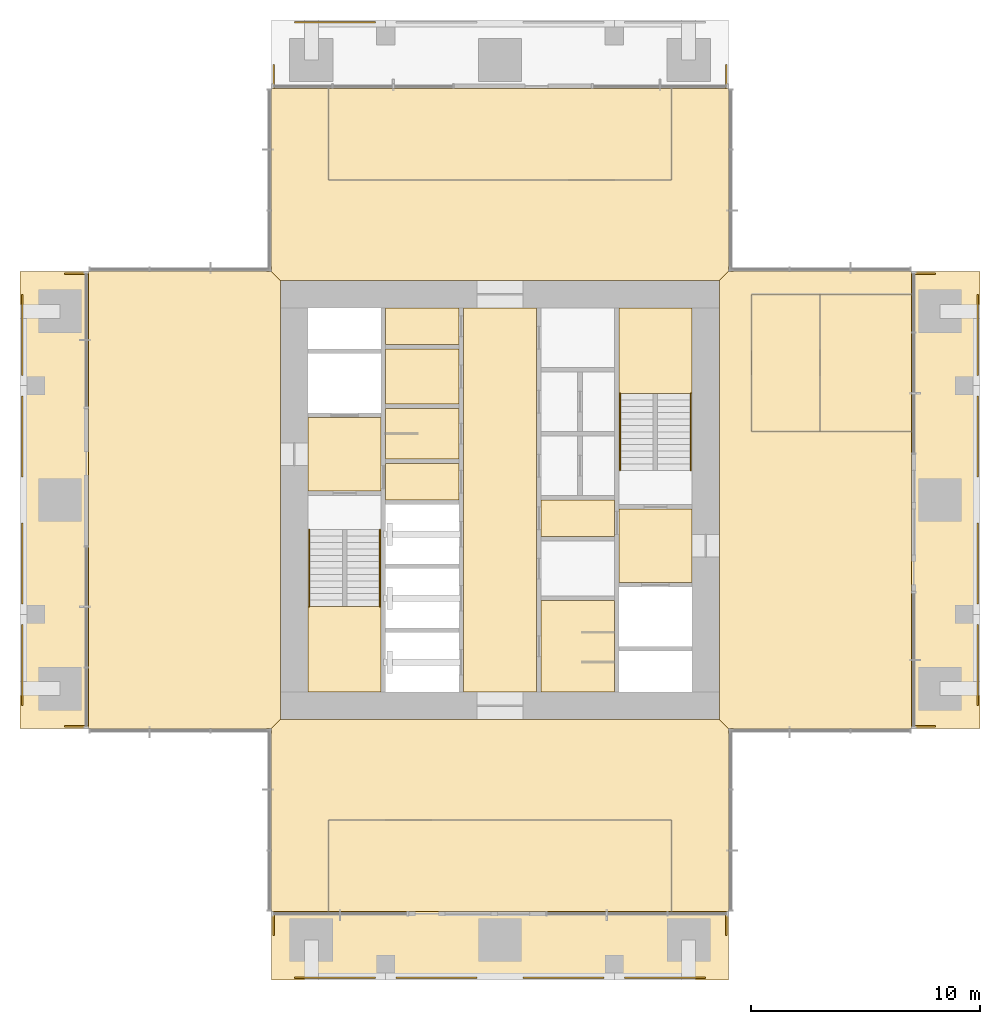
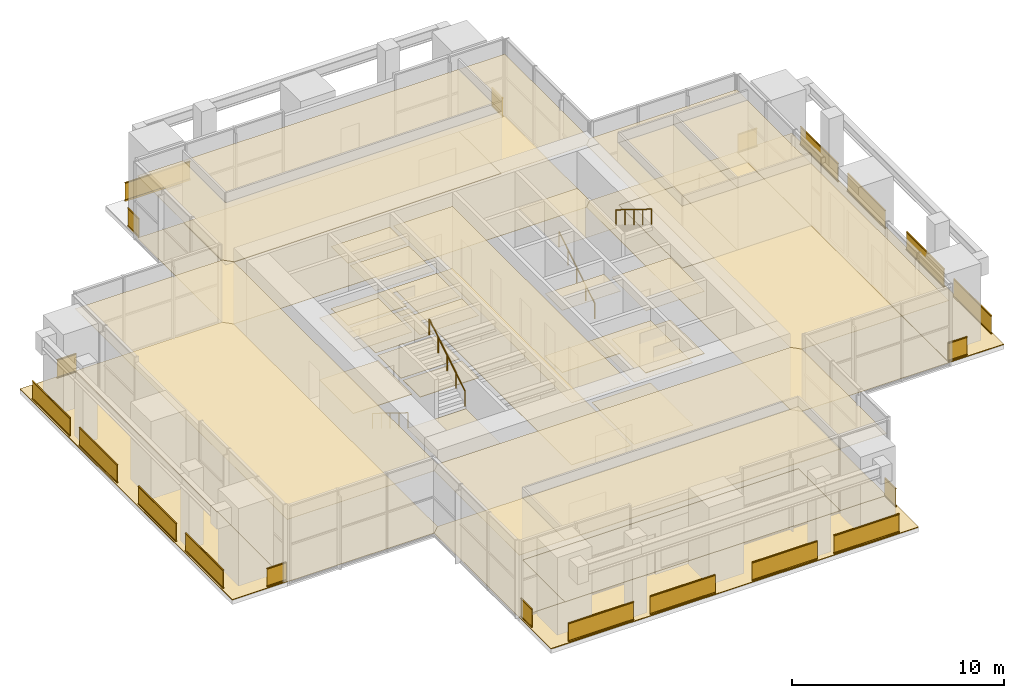
# One storey, part 10 of 11: 39 coverings, 25 railings.
"""IFC4 building model written with IfcOpenShell, lengths in metres."""

from ifc_helpers import new_model, si_unit, direction, frame, origin, origin_2d, place, context, subcontext, project, spatial, polyline, rectangle, circle, outline, extrude, material, layer, layer_set, type_object, element, save


model = new_model("IFC4")

# Units and contexts
model_context = context("Model", 3, precision=1e-05, world=origin(), true_north=direction((0.0, 1.0)))
body_context = subcontext(model_context, "Body", "Model", "MODEL_VIEW")
ifc_project = project(units=[si_unit("LENGTHUNIT", "METRE"), si_unit("AREAUNIT", "SQUARE_METRE"), si_unit("VOLUMEUNIT", "CUBIC_METRE"), si_unit("PLANEANGLEUNIT", "RADIAN"), si_unit("MASSUNIT", "GRAM", prefix="KILO")], contexts=[model_context])

# Site, building, storey
site_placement = place(None, origin())
site = spatial("IfcSite", under=ifc_project, at=site_placement, CompositionType="ELEMENT")
building_placement = place(site_placement, origin())
building = spatial("IfcBuilding", under=site, at=building_placement, Name="Svetlomir Tower", CompositionType="ELEMENT")
storey_placement = place(building_placement, frame((0.0, 0.0, 273.39990234375)))
storey = spatial("IfcBuildingStorey", under=building, at=storey_placement, Name="L65", CompositionType="ELEMENT", Elevation=273.39990234375)

# Covering
ifc_material_1 = material(Name="Perforated timber acoustic panel", Category="wood")
ifc_layer_1 = layer(ifc_material_1, 0.0400390625)
ifc_layer_set_1 = layer_set([ifc_layer_1], Name="Perforated timber acoustic panel")
covering_type_1 = type_object("IfcCoveringType", Name="ACOUSTIC CEILING 40", PredefinedType="CEILING", material=ifc_layer_set_1)
covering_1_placement = place(storey_placement, frame((0.0, 0.0, 3.56005859375)))
element("IfcCovering", 1, at=covering_1_placement, inside=storey, type_object=covering_type_1, Name="Ceiling L65-18", PredefinedType="CEILING", context=body_context, shape_type="SweptSolid", body=[
    extrude(outline(polyline([(13.5, 3.0), (28.5, 3.0), (28.5, 7.0), (13.5, 7.0), (13.5, 3.0)])), origin(), (0.0, 0.0, 1.0), 0.0400390625),
])

# Railings
ifc_material_2 = material(Name="Bronze anodised aluminium and laminated glass", Category="aluminium")
railing_type_1 = type_object("IfcRailingType", Name="BALCONY GUARD GR1 1100", PredefinedType="GUARDRAIL", material=ifc_material_2)
for number, where, name in (
    (2, (12.0, 0.10009765625, 0.0), "Loggia guard S L65 bay 1"),
    (3, (16.449951171875, 0.10009765625, 0.0), "Loggia guard S L65 bay 2"),
    (4, (22.0, 0.10009765625, 0.0), "Loggia guard S L65 bay 3"),
    (5, (26.449951171875, 0.10009765625, 0.0), "Loggia guard S L65 bay 4"),
):
    element("IfcRailing", number, at=place(storey_placement, frame(where)), inside=storey, type_object=railing_type_1, Name=name, PredefinedType="GUARDRAIL", context=body_context, shape_type="SweptSolid", body=[
        extrude(rectangle(XDim=0.06005859375, YDim=0.10009765625, at=origin_2d()), frame((0.0, 0.0, 0.050048828125), z_axis=(1.0, 0.0, 0.0), x_axis=(0.0, 1.0, 0.0)), (0.0, 0.0, 1.0), 3.550048828125),
        extrude(rectangle(XDim=0.021484375, YDim=0.960205078125, at=origin_2d()), frame((0.0, 0.0, 0.580078125), z_axis=(1.0, 0.0, 0.0), x_axis=(0.0, 1.0, 0.0)), (0.0, 0.0, 1.0), 3.550048828125),
        extrude(rectangle(XDim=0.06005859375, YDim=0.0400390625, at=origin_2d()), frame((0.0, 0.0, 1.080078125), z_axis=(1.0, 0.0, 0.0), x_axis=(0.0, 1.0, 0.0)), (0.0, 0.0, 1.0), 3.550048828125),
    ])
for number, where, name in (
    (6, (11.10009765625, 1.949951171875, 0.0), "Loggia guard S L65 end 1"),
    (7, (30.89990234375, 1.949951171875, 0.0), "Loggia guard S L65 end 2"),
):
    element("IfcRailing", number, at=place(storey_placement, frame(where)), inside=storey, type_object=railing_type_1, Name=name, PredefinedType="GUARDRAIL", context=body_context, shape_type="SweptSolid", body=[
        extrude(rectangle(XDim=0.06005859375, YDim=0.10009765625, at=origin_2d()), frame((0.0, 0.0, 0.050048828125), z_axis=(0.0, 1.0, 0.0), x_axis=(-1.0, 0.0, 0.0)), (0.0, 0.0, 1.0), 1.050048828125),
        extrude(rectangle(XDim=0.021484375, YDim=0.960205078125, at=origin_2d()), frame((0.0, 0.0, 0.580078125), z_axis=(0.0, 1.0, 0.0), x_axis=(-1.0, 0.0, 0.0)), (0.0, 0.0, 1.0), 1.050048828125),
        extrude(rectangle(XDim=0.06005859375, YDim=0.0400390625, at=origin_2d()), frame((0.0, 0.0, 1.080078125), z_axis=(0.0, 1.0, 0.0), x_axis=(-1.0, 0.0, 0.0)), (0.0, 0.0, 1.0), 1.050048828125),
    ])
for number, where, name in (
    (8, (41.89990234375, 12.0, 0.0), "Loggia guard E L65 bay 1"),
    (9, (41.89990234375, 16.449951171875, 0.0), "Loggia guard E L65 bay 2"),
    (10, (41.89990234375, 22.0, 0.0), "Loggia guard E L65 bay 3"),
    (11, (41.89990234375, 26.449951171875, 0.0), "Loggia guard E L65 bay 4"),
):
    element("IfcRailing", number, at=place(storey_placement, frame(where)), inside=storey, type_object=railing_type_1, Name=name, PredefinedType="GUARDRAIL", context=body_context, shape_type="SweptSolid", body=[
        extrude(rectangle(XDim=0.06005859375, YDim=0.10009765625, at=origin_2d()), frame((0.0, 0.0, 0.050048828125), z_axis=(0.0, 1.0, 0.0), x_axis=(-1.0, 0.0, 0.0)), (0.0, 0.0, 1.0), 3.550048828125),
        extrude(rectangle(XDim=0.021484375, YDim=0.960205078125, at=origin_2d()), frame((0.0, 0.0, 0.580078125), z_axis=(0.0, 1.0, 0.0), x_axis=(-1.0, 0.0, 0.0)), (0.0, 0.0, 1.0), 3.550048828125),
        extrude(rectangle(XDim=0.06005859375, YDim=0.0400390625, at=origin_2d()), frame((0.0, 0.0, 1.080078125), z_axis=(0.0, 1.0, 0.0), x_axis=(-1.0, 0.0, 0.0)), (0.0, 0.0, 1.0), 3.550048828125),
    ])
for number, where, name in (
    (12, (40.050048828125, 11.10009765625, 0.0), "Loggia guard E L65 end 1"),
    (13, (40.050048828125, 30.89990234375, 0.0), "Loggia guard E L65 end 2"),
):
    element("IfcRailing", number, at=place(storey_placement, frame(where)), inside=storey, type_object=railing_type_1, Name=name, PredefinedType="GUARDRAIL", context=body_context, shape_type="SweptSolid", body=[
        extrude(rectangle(XDim=0.06005859375, YDim=0.10009765625, at=origin_2d()), frame((0.0, 0.0, 0.050048828125), z_axis=(-1.0, 0.0, 0.0), x_axis=(0.0, -1.0, 0.0)), (0.0, 0.0, 1.0), 1.050048828125),
        extrude(rectangle(XDim=0.021484375, YDim=0.960205078125, at=origin_2d()), frame((0.0, 0.0, 0.580078125), z_axis=(-1.0, 0.0, 0.0), x_axis=(0.0, -1.0, 0.0)), (0.0, 0.0, 1.0), 1.050048828125),
        extrude(rectangle(XDim=0.06005859375, YDim=0.0400390625, at=origin_2d()), frame((0.0, 0.0, 1.080078125), z_axis=(-1.0, 0.0, 0.0), x_axis=(0.0, -1.0, 0.0)), (0.0, 0.0, 1.0), 1.050048828125),
    ])
railing_1_placement = place(storey_placement, frame((12.0, 41.89990234375, 0.0)))
element("IfcRailing", 14, at=railing_1_placement, inside=storey, type_object=railing_type_1, Name="Loggia guard N L65 bay 1", PredefinedType="GUARDRAIL", context=body_context, shape_type="SweptSolid", body=[
    extrude(rectangle(XDim=0.06005859375, YDim=0.10009765625, at=origin_2d()), frame((0.0, 0.0, 0.050048828125), z_axis=(1.0, 0.0, 0.0), x_axis=(0.0, 1.0, 0.0)), (0.0, 0.0, 1.0), 3.550048828125),
    extrude(rectangle(XDim=0.021484375, YDim=0.960205078125, at=origin_2d()), frame((0.0, 0.0, 0.580078125), z_axis=(1.0, 0.0, 0.0), x_axis=(0.0, 1.0, 0.0)), (0.0, 0.0, 1.0), 3.550048828125),
    extrude(rectangle(XDim=0.06005859375, YDim=0.0400390625, at=origin_2d()), frame((0.0, 0.0, 1.080078125), z_axis=(1.0, 0.0, 0.0), x_axis=(0.0, 1.0, 0.0)), (0.0, 0.0, 1.0), 3.550048828125),
])
for number, where, name in (
    (15, (11.10009765625, 40.050048828125, 0.0), "Loggia guard N L65 end 1"),
    (16, (30.89990234375, 40.050048828125, 0.0), "Loggia guard N L65 end 2"),
):
    element("IfcRailing", number, at=place(storey_placement, frame(where)), inside=storey, type_object=railing_type_1, Name=name, PredefinedType="GUARDRAIL", context=body_context, shape_type="SweptSolid", body=[
        extrude(rectangle(XDim=0.06005859375, YDim=0.10009765625, at=origin_2d()), frame((0.0, 0.0, 0.050048828125), z_axis=(0.0, -1.0, 0.0), x_axis=(1.0, 0.0, 0.0)), (0.0, 0.0, 1.0), 1.050048828125),
        extrude(rectangle(XDim=0.021484375, YDim=0.960205078125, at=origin_2d()), frame((0.0, 0.0, 0.580078125), z_axis=(0.0, -1.0, 0.0), x_axis=(1.0, 0.0, 0.0)), (0.0, 0.0, 1.0), 1.050048828125),
        extrude(rectangle(XDim=0.06005859375, YDim=0.0400390625, at=origin_2d()), frame((0.0, 0.0, 1.080078125), z_axis=(0.0, -1.0, 0.0), x_axis=(1.0, 0.0, 0.0)), (0.0, 0.0, 1.0), 1.050048828125),
    ])
for number, where, name in (
    (17, (0.10009765625, 12.0, 0.0), "Loggia guard W L65 bay 1"),
    (18, (0.10009765625, 16.449951171875, 0.0), "Loggia guard W L65 bay 2"),
    (19, (0.10009765625, 22.0, 0.0), "Loggia guard W L65 bay 3"),
    (20, (0.10009765625, 26.449951171875, 0.0), "Loggia guard W L65 bay 4"),
):
    element("IfcRailing", number, at=place(storey_placement, frame(where)), inside=storey, type_object=railing_type_1, Name=name, PredefinedType="GUARDRAIL", context=body_context, shape_type="SweptSolid", body=[
        extrude(rectangle(XDim=0.06005859375, YDim=0.10009765625, at=origin_2d()), frame((0.0, 0.0, 0.050048828125), z_axis=(0.0, 1.0, 0.0), x_axis=(-1.0, 0.0, 0.0)), (0.0, 0.0, 1.0), 3.550048828125),
        extrude(rectangle(XDim=0.021484375, YDim=0.960205078125, at=origin_2d()), frame((0.0, 0.0, 0.580078125), z_axis=(0.0, 1.0, 0.0), x_axis=(-1.0, 0.0, 0.0)), (0.0, 0.0, 1.0), 3.550048828125),
        extrude(rectangle(XDim=0.06005859375, YDim=0.0400390625, at=origin_2d()), frame((0.0, 0.0, 1.080078125), z_axis=(0.0, 1.0, 0.0), x_axis=(-1.0, 0.0, 0.0)), (0.0, 0.0, 1.0), 3.550048828125),
    ])
for number, where, name in (
    (21, (1.949951171875, 11.10009765625, 0.0), "Loggia guard W L65 end 1"),
    (22, (1.949951171875, 30.89990234375, 0.0), "Loggia guard W L65 end 2"),
):
    element("IfcRailing", number, at=place(storey_placement, frame(where)), inside=storey, type_object=railing_type_1, Name=name, PredefinedType="GUARDRAIL", context=body_context, shape_type="SweptSolid", body=[
        extrude(rectangle(XDim=0.06005859375, YDim=0.10009765625, at=origin_2d()), frame((0.0, 0.0, 0.050048828125), z_axis=(1.0, 0.0, 0.0), x_axis=(0.0, 1.0, 0.0)), (0.0, 0.0, 1.0), 1.050048828125),
        extrude(rectangle(XDim=0.021484375, YDim=0.960205078125, at=origin_2d()), frame((0.0, 0.0, 0.580078125), z_axis=(1.0, 0.0, 0.0), x_axis=(0.0, 1.0, 0.0)), (0.0, 0.0, 1.0), 1.050048828125),
        extrude(rectangle(XDim=0.06005859375, YDim=0.0400390625, at=origin_2d()), frame((0.0, 0.0, 1.080078125), z_axis=(1.0, 0.0, 0.0), x_axis=(0.0, 1.0, 0.0)), (0.0, 0.0, 1.0), 1.050048828125),
    ])

# Coverings
ifc_material_3 = material(Name="Granite paving slabs on pedestals", Category="masonry")
ifc_layer_2 = layer(ifc_material_3, 0.0400390625)
ifc_layer_set_2 = layer_set([ifc_layer_2], Name="Granite paving slabs on pedestals")
covering_type_2 = type_object("IfcCoveringType", Name="BALCONY PAVING 40", PredefinedType="USERDEFINED", material=ifc_layer_set_2)
covering_2_placement = place(storey_placement, origin())
element("IfcCovering", 23, at=covering_2_placement, inside=storey, type_object=covering_type_2, Name="Loggia paving S L65", ObjectType="BALCONY PAVING", PredefinedType="USERDEFINED", context=body_context, shape_type="SweptSolid", body=[
    extrude(outline(polyline([(11.0, 0.0), (31.0, 0.0), (31.0, 3.0), (11.0, 3.0), (11.0, 0.0)])), origin(), (0.0, 0.0, 1.0), 0.0400390625),
])
covering_3_placement = place(storey_placement, origin())
element("IfcCovering", 24, at=covering_3_placement, inside=storey, type_object=covering_type_2, Name="Loggia paving E L65", ObjectType="BALCONY PAVING", PredefinedType="USERDEFINED", context=body_context, shape_type="SweptSolid", body=[
    extrude(outline(polyline([(39.0, 11.0), (42.0, 11.0), (42.0, 31.0), (39.0, 31.0), (39.0, 11.0)])), origin(), (0.0, 0.0, 1.0), 0.0400390625),
])
covering_4_placement = place(storey_placement, origin())
element("IfcCovering", 25, at=covering_4_placement, inside=storey, type_object=covering_type_2, Name="Loggia paving W L65", ObjectType="BALCONY PAVING", PredefinedType="USERDEFINED", context=body_context, shape_type="SweptSolid", body=[
    extrude(outline(polyline([(0.0, 11.0), (3.0, 11.0), (3.0, 31.0), (0.0, 31.0), (0.0, 11.0)])), origin(), (0.0, 0.0, 1.0), 0.0400390625),
])
ifc_material_4 = material(Name="Ceramic floor tile", Category="ceramic")
ifc_layer_3 = layer(ifc_material_4, 0.014892578125)
ifc_layer_set_3 = layer_set([ifc_layer_3], Name="Ceramic floor tile")
covering_type_3 = type_object("IfcCoveringType", Name="CERAMIC TILE FLOOR 15", PredefinedType="FLOORING", material=ifc_layer_set_3)
covering_5_placement = place(storey_placement, origin())
element("IfcCovering", 26, at=covering_5_placement, inside=storey, type_object=covering_type_3, Name="Floor finish L65-04", PredefinedType="FLOORING", context=body_context, shape_type="SweptSolid", body=[
    extrude(outline(polyline([(16.0, 22.800048828125), (19.199951171875, 22.800048828125), (19.199951171875, 25.0), (16.0, 25.0), (16.0, 22.800048828125)])), origin(), (0.0, 0.0, 1.0), 0.01513671875),
])
covering_6_placement = place(storey_placement, origin())
element("IfcCovering", 27, at=covering_6_placement, inside=storey, type_object=covering_type_3, Name="Floor finish L65-05", PredefinedType="FLOORING", context=body_context, shape_type="SweptSolid", body=[
    extrude(outline(polyline([(16.0, 25.199951171875), (19.199951171875, 25.199951171875), (19.199951171875, 27.60009765625), (16.0, 27.60009765625), (16.0, 25.199951171875)])), origin(), (0.0, 0.0, 1.0), 0.01513671875),
])
covering_7_placement = place(storey_placement, origin())
element("IfcCovering", 28, at=covering_7_placement, inside=storey, type_object=covering_type_3, Name="Floor finish L65-08", PredefinedType="FLOORING", context=body_context, shape_type="SweptSolid", body=[
    extrude(outline(polyline([(22.800048828125, 12.60009765625), (26.0, 12.60009765625), (26.0, 16.60009765625), (22.800048828125, 16.60009765625), (22.800048828125, 12.60009765625)])), origin(), (0.0, 0.0, 1.0), 0.01513671875),
])

# Railings
ifc_material_5 = material(Name="Stainless steel", Category="steel")
railing_type_2 = type_object("IfcRailingType", Name="HANDRAIL HR1 900", PredefinedType="HANDRAIL", material=ifc_material_5)
railing_2_placement = place(storey_placement, frame((12.64990234375, 19.699951171875, 0.173095703125)))
element("IfcRailing", 29, at=railing_2_placement, inside=storey, type_object=railing_type_2, Name="Handrail S1 flight 1 L65", PredefinedType="HANDRAIL", context=body_context, shape_type="SweptSolid", body=[
    extrude(circle(Radius=0.02392578125, at=origin_2d()), frame((0.0, 0.0, 0.8759765625), z_axis=(0.0, -0.850606129759, 0.525803396734), x_axis=(1.0, 0.0, 0.0)), (0.0, 0.0, 1.0), 3.949951171875),
    extrude(circle(Radius=0.02099609375, at=origin_2d()), origin(), (0.0, 0.0, 1.0), 0.851806640625),
    extrude(circle(Radius=0.02099609375, at=origin_2d()), frame((0.0, -0.83984375, 0.519287109375)), (0.0, 0.0, 1.0), 0.851806640625),
    extrude(circle(Radius=0.02099609375, at=origin_2d()), frame((0.0, -1.679931640625, 1.03857421875)), (0.0, 0.0, 1.0), 0.851806640625),
    extrude(circle(Radius=0.02099609375, at=origin_2d()), frame((0.0, -2.52001953125, 1.5576171875)), (0.0, 0.0, 1.0), 0.851806640625),
    extrude(circle(Radius=0.02099609375, at=origin_2d()), frame((0.0, -3.35986328125, 2.076904296875)), (0.0, 0.0, 1.0), 0.851806640625),
])
for number, where, name in (
    (30, (15.75, 16.340087890625, 2.423095703125), "Handrail S1 flight 2 L65"),
    (31, (26.25, 22.300048828125, 0.173095703125), "Handrail S2 flight 1 L65"),
):
    element("IfcRailing", number, at=place(storey_placement, frame(where)), inside=storey, type_object=railing_type_2, Name=name, PredefinedType="HANDRAIL", context=body_context, shape_type="SweptSolid", body=[
        extrude(circle(Radius=0.02392578125, at=origin_2d()), frame((0.0, 0.0, 0.8759765625), z_axis=(0.0, 0.850606129759, 0.525803396734), x_axis=(-1.0, 0.0, 0.0)), (0.0, 0.0, 1.0), 3.949951171875),
        extrude(circle(Radius=0.02099609375, at=origin_2d()), origin(), (0.0, 0.0, 1.0), 0.851806640625),
        extrude(circle(Radius=0.02099609375, at=origin_2d()), frame((0.0, 0.83984375, 0.519287109375)), (0.0, 0.0, 1.0), 0.851806640625),
        extrude(circle(Radius=0.02099609375, at=origin_2d()), frame((0.0, 1.679931640625, 1.03857421875)), (0.0, 0.0, 1.0), 0.851806640625),
        extrude(circle(Radius=0.02099609375, at=origin_2d()), frame((0.0, 2.52001953125, 1.5576171875)), (0.0, 0.0, 1.0), 0.851806640625),
        extrude(circle(Radius=0.02099609375, at=origin_2d()), frame((0.0, 3.35986328125, 2.076904296875)), (0.0, 0.0, 1.0), 0.851806640625),
    ])
railing_3_placement = place(storey_placement, frame((29.35009765625, 25.659912109375, 2.423095703125)))
element("IfcRailing", 32, at=railing_3_placement, inside=storey, type_object=railing_type_2, Name="Handrail S2 flight 2 L65", PredefinedType="HANDRAIL", context=body_context, shape_type="SweptSolid", body=[
    extrude(circle(Radius=0.02392578125, at=origin_2d()), frame((0.0, 0.0, 0.8759765625), z_axis=(0.0, -0.850606129759, 0.525803396734), x_axis=(1.0, 0.0, 0.0)), (0.0, 0.0, 1.0), 3.949951171875),
    extrude(circle(Radius=0.02099609375, at=origin_2d()), origin(), (0.0, 0.0, 1.0), 0.851806640625),
    extrude(circle(Radius=0.02099609375, at=origin_2d()), frame((0.0, -0.83984375, 0.519287109375)), (0.0, 0.0, 1.0), 0.851806640625),
    extrude(circle(Radius=0.02099609375, at=origin_2d()), frame((0.0, -1.679931640625, 1.03857421875)), (0.0, 0.0, 1.0), 0.851806640625),
    extrude(circle(Radius=0.02099609375, at=origin_2d()), frame((0.0, -2.52001953125, 1.5576171875)), (0.0, 0.0, 1.0), 0.851806640625),
    extrude(circle(Radius=0.02099609375, at=origin_2d()), frame((0.0, -3.35986328125, 2.076904296875)), (0.0, 0.0, 1.0), 0.851806640625),
])

# Coverings
ifc_material_6 = material(Name="Moisture resistant plasterboard ceiling", Category="gypsum")
ifc_layer_4 = layer(ifc_material_6, 0.012451171875)
ifc_layer_set_4 = layer_set([ifc_layer_4], Name="Moisture resistant plasterboard ceiling")
covering_type_4 = type_object("IfcCoveringType", Name="MOISTURE RESISTANT CEILING 12.5", PredefinedType="CEILING", material=ifc_layer_set_4)
covering_8_placement = place(storey_placement, frame((0.0, 0.0, 3.587646484375)))
element("IfcCovering", 33, at=covering_8_placement, inside=storey, type_object=covering_type_4, Name="Ceiling L65-04", PredefinedType="CEILING", context=body_context, shape_type="SweptSolid", body=[
    extrude(outline(polyline([(16.0, 22.800048828125), (19.199951171875, 22.800048828125), (19.199951171875, 25.0), (16.0, 25.0), (16.0, 22.800048828125)])), origin(), (0.0, 0.0, 1.0), 0.012451171875),
])
covering_9_placement = place(storey_placement, frame((0.0, 0.0, 3.587646484375)))
element("IfcCovering", 34, at=covering_9_placement, inside=storey, type_object=covering_type_4, Name="Ceiling L65-05", PredefinedType="CEILING", context=body_context, shape_type="SweptSolid", body=[
    extrude(outline(polyline([(16.0, 25.199951171875), (19.199951171875, 25.199951171875), (19.199951171875, 27.60009765625), (16.0, 27.60009765625), (16.0, 25.199951171875)])), origin(), (0.0, 0.0, 1.0), 0.012451171875),
])
covering_10_placement = place(storey_placement, frame((0.0, 0.0, 3.587646484375)))
element("IfcCovering", 35, at=covering_10_placement, inside=storey, type_object=covering_type_4, Name="Ceiling L65-08", PredefinedType="CEILING", context=body_context, shape_type="SweptSolid", body=[
    extrude(outline(polyline([(22.800048828125, 12.60009765625), (26.0, 12.60009765625), (26.0, 16.60009765625), (22.800048828125, 16.60009765625), (22.800048828125, 12.60009765625)])), origin(), (0.0, 0.0, 1.0), 0.012451171875),
])
ifc_material_7 = material(Name="Engineered oak floor", Category="wood")
ifc_layer_5 = layer(ifc_material_7, 0.02001953125)
ifc_layer_set_5 = layer_set([ifc_layer_5], Name="Engineered oak floor")
covering_type_5 = type_object("IfcCoveringType", Name="OAK FLOOR 20", PredefinedType="FLOORING", material=ifc_layer_set_5)
covering_11_placement = place(storey_placement, origin())
element("IfcCovering", 36, at=covering_11_placement, inside=storey, type_object=covering_type_5, Name="Floor finish L65-18", PredefinedType="FLOORING", context=body_context, shape_type="SweptSolid", body=[
    extrude(outline(polyline([(13.5, 3.0), (28.5, 3.0), (28.5, 7.0), (13.5, 7.0), (13.5, 3.0)])), origin(), (0.0, 0.0, 1.0), 0.02001953125),
])
covering_12_placement = place(storey_placement, origin())
element("IfcCovering", 37, at=covering_12_placement, inside=storey, type_object=covering_type_5, Name="Floor finish L65-19", PredefinedType="FLOORING", context=body_context, shape_type="SweptSolid", body=[
    extrude(outline(polyline([(13.5, 35.0), (28.5, 35.0), (28.5, 39.0), (13.5, 39.0), (13.5, 35.0)])), origin(), (0.0, 0.0, 1.0), 0.02001953125),
])
covering_13_placement = place(storey_placement, origin())
element("IfcCovering", 38, at=covering_13_placement, inside=storey, type_object=covering_type_5, Name="Floor finish L65-20", PredefinedType="FLOORING", context=body_context, shape_type="SweptSolid", body=[
    extrude(outline(polyline([(35.0, 24.0), (39.0, 24.0), (39.0, 30.0), (35.0, 30.0), (35.0, 24.0)])), origin(), (0.0, 0.0, 1.0), 0.02001953125),
])
covering_14_placement = place(storey_placement, origin())
element("IfcCovering", 39, at=covering_14_placement, inside=storey, type_object=covering_type_5, Name="Floor finish L65-21", PredefinedType="FLOORING", context=body_context, shape_type="SweptSolid", body=[
    extrude(outline(polyline([(32.0, 24.0), (35.0, 24.0), (35.0, 30.0), (32.0, 30.0), (32.0, 24.0)])), origin(), (0.0, 0.0, 1.0), 0.02001953125),
])
covering_15_placement = place(storey_placement, origin())
element("IfcCovering", 40, at=covering_15_placement, inside=storey, type_object=covering_type_5, Name="Floor finish L65-22", PredefinedType="FLOORING", context=body_context, shape_type="SweptSolid", body=[
    extrude(outline(polyline([(11.0, 11.0), (11.39990234375, 11.39990234375), (30.60009765625, 11.39990234375), (31.0, 11.0), (31.0, 3.0), (28.5, 3.0), (28.5, 7.0), (13.5, 7.0), (13.5, 3.0), (11.0, 3.0), (11.0, 11.0)])), origin(), (0.0, 0.0, 1.0), 0.02001953125),
])
covering_16_placement = place(storey_placement, origin())
element("IfcCovering", 41, at=covering_16_placement, inside=storey, type_object=covering_type_5, Name="Floor finish L65-23", PredefinedType="FLOORING", context=body_context, shape_type="SweptSolid", body=[
    extrude(outline(polyline([(39.0, 31.0), (39.0, 30.0), (32.0, 30.0), (32.0, 24.0), (39.0, 24.0), (39.0, 11.0), (31.0, 11.0), (30.60009765625, 11.39990234375), (30.60009765625, 30.60009765625), (31.0, 31.0), (39.0, 31.0)])), origin(), (0.0, 0.0, 1.0), 0.02001953125),
])
covering_17_placement = place(storey_placement, origin())
element("IfcCovering", 42, at=covering_17_placement, inside=storey, type_object=covering_type_5, Name="Floor finish L65-24", PredefinedType="FLOORING", context=body_context, shape_type="SweptSolid", body=[
    extrude(outline(polyline([(11.0, 39.0), (13.5, 39.0), (13.5, 35.0), (28.5, 35.0), (28.5, 39.0), (31.0, 39.0), (31.0, 31.0), (30.60009765625, 30.60009765625), (11.39990234375, 30.60009765625), (11.0, 31.0), (11.0, 39.0)])), origin(), (0.0, 0.0, 1.0), 0.02001953125),
])
covering_18_placement = place(storey_placement, origin())
element("IfcCovering", 43, at=covering_18_placement, inside=storey, type_object=covering_type_5, Name="Floor finish L65-25", PredefinedType="FLOORING", context=body_context, shape_type="SweptSolid", body=[
    extrude(outline(polyline([(3.0, 11.0), (3.0, 31.0), (11.0, 31.0), (11.39990234375, 30.60009765625), (11.39990234375, 11.39990234375), (11.0, 11.0), (3.0, 11.0)])), origin(), (0.0, 0.0, 1.0), 0.02001953125),
])
ifc_material_8 = material(Name="Gypsum plasterboard ceiling", Category="gypsum")
ifc_layer_6 = layer(ifc_material_8, 0.014892578125)
ifc_layer_set_6 = layer_set([ifc_layer_6], Name="Gypsum plasterboard ceiling")
covering_type_6 = type_object("IfcCoveringType", Name="PLASTERBOARD CEILING 15", PredefinedType="CEILING", material=ifc_layer_set_6)
covering_19_placement = place(storey_placement, frame((0.0, 0.0, 3.585205078125)))
element("IfcCovering", 44, at=covering_19_placement, inside=storey, type_object=covering_type_6, Name="Ceiling L65-02", PredefinedType="CEILING", context=body_context, shape_type="SweptSolid", body=[
    extrude(outline(polyline([(12.60009765625, 21.39990234375), (15.800048828125, 21.39990234375), (15.800048828125, 24.60009765625), (12.60009765625, 24.60009765625), (12.60009765625, 21.39990234375)])), origin(), (0.0, 0.0, 1.0), 0.014892578125),
])
covering_20_placement = place(storey_placement, frame((0.0, 0.0, 3.585205078125)))
element("IfcCovering", 45, at=covering_20_placement, inside=storey, type_object=covering_type_6, Name="Ceiling L65-03", PredefinedType="CEILING", context=body_context, shape_type="SweptSolid", body=[
    extrude(outline(polyline([(16.0, 21.0), (19.199951171875, 21.0), (19.199951171875, 22.60009765625), (16.0, 22.60009765625), (16.0, 21.0)])), origin(), (0.0, 0.0, 1.0), 0.014892578125),
])
covering_21_placement = place(storey_placement, frame((0.0, 0.0, 3.585205078125)))
element("IfcCovering", 46, at=covering_21_placement, inside=storey, type_object=covering_type_6, Name="Ceiling L65-06", PredefinedType="CEILING", context=body_context, shape_type="SweptSolid", body=[
    extrude(outline(polyline([(16.0, 27.800048828125), (19.199951171875, 27.800048828125), (19.199951171875, 29.39990234375), (16.0, 29.39990234375), (16.0, 27.800048828125)])), origin(), (0.0, 0.0, 1.0), 0.014892578125),
])
covering_22_placement = place(storey_placement, frame((0.0, 0.0, 3.585205078125)))
element("IfcCovering", 47, at=covering_22_placement, inside=storey, type_object=covering_type_6, Name="Ceiling L65-07", PredefinedType="CEILING", context=body_context, shape_type="SweptSolid", body=[
    extrude(outline(polyline([(19.39990234375, 12.60009765625), (22.60009765625, 12.60009765625), (22.60009765625, 29.39990234375), (19.39990234375, 29.39990234375), (19.39990234375, 12.60009765625)])), origin(), (0.0, 0.0, 1.0), 0.014892578125),
])
covering_23_placement = place(storey_placement, frame((0.0, 0.0, 3.585205078125)))
element("IfcCovering", 48, at=covering_23_placement, inside=storey, type_object=covering_type_6, Name="Ceiling L65-10", PredefinedType="CEILING", context=body_context, shape_type="SweptSolid", body=[
    extrude(outline(polyline([(22.800048828125, 19.39990234375), (26.0, 19.39990234375), (26.0, 21.0), (22.800048828125, 21.0), (22.800048828125, 19.39990234375)])), origin(), (0.0, 0.0, 1.0), 0.014892578125),
])
covering_24_placement = place(storey_placement, frame((0.0, 0.0, 3.585205078125)))
element("IfcCovering", 49, at=covering_24_placement, inside=storey, type_object=covering_type_6, Name="Ceiling L65-11", PredefinedType="CEILING", context=body_context, shape_type="SweptSolid", body=[
    extrude(outline(polyline([(26.199951171875, 17.39990234375), (29.39990234375, 17.39990234375), (29.39990234375, 20.60009765625), (26.199951171875, 20.60009765625), (26.199951171875, 17.39990234375)])), origin(), (0.0, 0.0, 1.0), 0.014892578125),
])
ifc_material_9 = material(Name="Studded rubber floor finish", Category="rubber")
ifc_layer_7 = layer(ifc_material_9, 0.006103515625)
ifc_layer_set_7 = layer_set([ifc_layer_7], Name="Studded rubber floor finish")
covering_type_7 = type_object("IfcCoveringType", Name="RUBBER LANDING FINISH 6", PredefinedType="FLOORING", material=ifc_layer_set_7)
covering_25_placement = place(storey_placement, frame((0.0, 0.0, 2.25)))
element("IfcCovering", 50, at=covering_25_placement, inside=storey, type_object=covering_type_7, Name="Stair S1 landing finish L65", PredefinedType="FLOORING", context=body_context, shape_type="SweptSolid", body=[
    extrude(outline(polyline([(12.60009765625, 12.60009765625), (15.800048828125, 12.60009765625), (15.800048828125, 16.340087890625), (12.60009765625, 16.340087890625), (12.60009765625, 12.60009765625)])), origin(), (0.0, 0.0, 1.0), 0.006103515625),
])
covering_26_placement = place(storey_placement, frame((0.0, 0.0, 2.25)))
element("IfcCovering", 51, at=covering_26_placement, inside=storey, type_object=covering_type_7, Name="Stair S2 landing finish L65", PredefinedType="FLOORING", context=body_context, shape_type="SweptSolid", body=[
    extrude(outline(polyline([(26.199951171875, 25.659912109375), (29.39990234375, 25.659912109375), (29.39990234375, 29.39990234375), (26.199951171875, 29.39990234375), (26.199951171875, 25.659912109375)])), origin(), (0.0, 0.0, 1.0), 0.006103515625),
])
ifc_material_10 = material(Name="Mineral fibre ceiling tile", Category="mineral")
ifc_layer_8 = layer(ifc_material_10, 0.02001953125)
ifc_layer_set_8 = layer_set([ifc_layer_8], Name="Mineral fibre ceiling tile")
covering_type_8 = type_object("IfcCoveringType", Name="SUSPENDED CEILING 20", PredefinedType="CEILING", material=ifc_layer_set_8)
covering_27_placement = place(storey_placement, frame((0.0, 0.0, 3.580078125)))
element("IfcCovering", 52, at=covering_27_placement, inside=storey, type_object=covering_type_8, Name="Ceiling L65-19", PredefinedType="CEILING", context=body_context, shape_type="SweptSolid", body=[
    extrude(outline(polyline([(13.5, 35.0), (28.5, 35.0), (28.5, 39.0), (13.5, 39.0), (13.5, 35.0)])), origin(), (0.0, 0.0, 1.0), 0.02001953125),
])
covering_28_placement = place(storey_placement, frame((0.0, 0.0, 3.580078125)))
element("IfcCovering", 53, at=covering_28_placement, inside=storey, type_object=covering_type_8, Name="Ceiling L65-20", PredefinedType="CEILING", context=body_context, shape_type="SweptSolid", body=[
    extrude(outline(polyline([(35.0, 24.0), (39.0, 24.0), (39.0, 30.0), (35.0, 30.0), (35.0, 24.0)])), origin(), (0.0, 0.0, 1.0), 0.02001953125),
])
covering_29_placement = place(storey_placement, frame((0.0, 0.0, 3.580078125)))
element("IfcCovering", 54, at=covering_29_placement, inside=storey, type_object=covering_type_8, Name="Ceiling L65-21", PredefinedType="CEILING", context=body_context, shape_type="SweptSolid", body=[
    extrude(outline(polyline([(32.0, 24.0), (35.0, 24.0), (35.0, 30.0), (32.0, 30.0), (32.0, 24.0)])), origin(), (0.0, 0.0, 1.0), 0.02001953125),
])
covering_30_placement = place(storey_placement, frame((0.0, 0.0, 3.580078125)))
element("IfcCovering", 55, at=covering_30_placement, inside=storey, type_object=covering_type_8, Name="Ceiling L65-22", PredefinedType="CEILING", context=body_context, shape_type="SweptSolid", body=[
    extrude(outline(polyline([(11.0, 11.0), (11.39990234375, 11.39990234375), (30.60009765625, 11.39990234375), (31.0, 11.0), (31.0, 3.0), (28.5, 3.0), (28.5, 7.0), (13.5, 7.0), (13.5, 3.0), (11.0, 3.0), (11.0, 11.0)])), origin(), (0.0, 0.0, 1.0), 0.02001953125),
])
covering_31_placement = place(storey_placement, frame((0.0, 0.0, 3.580078125)))
element("IfcCovering", 56, at=covering_31_placement, inside=storey, type_object=covering_type_8, Name="Ceiling L65-23", PredefinedType="CEILING", context=body_context, shape_type="SweptSolid", body=[
    extrude(outline(polyline([(39.0, 31.0), (39.0, 30.0), (32.0, 30.0), (32.0, 24.0), (39.0, 24.0), (39.0, 11.0), (31.0, 11.0), (30.60009765625, 11.39990234375), (30.60009765625, 30.60009765625), (31.0, 31.0), (39.0, 31.0)])), origin(), (0.0, 0.0, 1.0), 0.02001953125),
])
covering_32_placement = place(storey_placement, frame((0.0, 0.0, 3.580078125)))
element("IfcCovering", 57, at=covering_32_placement, inside=storey, type_object=covering_type_8, Name="Ceiling L65-24", PredefinedType="CEILING", context=body_context, shape_type="SweptSolid", body=[
    extrude(outline(polyline([(11.0, 39.0), (13.5, 39.0), (13.5, 35.0), (28.5, 35.0), (28.5, 39.0), (31.0, 39.0), (31.0, 31.0), (30.60009765625, 30.60009765625), (11.39990234375, 30.60009765625), (11.0, 31.0), (11.0, 39.0)])), origin(), (0.0, 0.0, 1.0), 0.02001953125),
])
covering_33_placement = place(storey_placement, frame((0.0, 0.0, 3.580078125)))
element("IfcCovering", 58, at=covering_33_placement, inside=storey, type_object=covering_type_8, Name="Ceiling L65-25", PredefinedType="CEILING", context=body_context, shape_type="SweptSolid", body=[
    extrude(outline(polyline([(3.0, 11.0), (3.0, 31.0), (11.0, 31.0), (11.39990234375, 30.60009765625), (11.39990234375, 11.39990234375), (11.0, 11.0), (3.0, 11.0)])), origin(), (0.0, 0.0, 1.0), 0.02001953125),
])
ifc_material_11 = material(Name="Bronze-aggregate terrazzo", Category="stone")
ifc_layer_9 = layer(ifc_material_11, 0.030029296875)
ifc_layer_set_9 = layer_set([ifc_layer_9], Name="Bronze-aggregate terrazzo")
covering_type_9 = type_object("IfcCoveringType", Name="TERRAZZO FLOOR 30", PredefinedType="FLOORING", material=ifc_layer_set_9)
covering_34_placement = place(storey_placement, origin())
element("IfcCovering", 59, at=covering_34_placement, inside=storey, type_object=covering_type_9, Name="Floor finish L65-02", PredefinedType="FLOORING", context=body_context, shape_type="SweptSolid", body=[
    extrude(outline(polyline([(12.60009765625, 21.39990234375), (15.800048828125, 21.39990234375), (15.800048828125, 24.60009765625), (12.60009765625, 24.60009765625), (12.60009765625, 21.39990234375)])), origin(), (0.0, 0.0, 1.0), 0.030029296875),
])
covering_35_placement = place(storey_placement, origin())
element("IfcCovering", 60, at=covering_35_placement, inside=storey, type_object=covering_type_9, Name="Floor finish L65-03", PredefinedType="FLOORING", context=body_context, shape_type="SweptSolid", body=[
    extrude(outline(polyline([(16.0, 21.0), (19.199951171875, 21.0), (19.199951171875, 22.60009765625), (16.0, 22.60009765625), (16.0, 21.0)])), origin(), (0.0, 0.0, 1.0), 0.030029296875),
])
covering_36_placement = place(storey_placement, origin())
element("IfcCovering", 61, at=covering_36_placement, inside=storey, type_object=covering_type_9, Name="Floor finish L65-06", PredefinedType="FLOORING", context=body_context, shape_type="SweptSolid", body=[
    extrude(outline(polyline([(16.0, 27.800048828125), (19.199951171875, 27.800048828125), (19.199951171875, 29.39990234375), (16.0, 29.39990234375), (16.0, 27.800048828125)])), origin(), (0.0, 0.0, 1.0), 0.030029296875),
])
covering_37_placement = place(storey_placement, origin())
element("IfcCovering", 62, at=covering_37_placement, inside=storey, type_object=covering_type_9, Name="Floor finish L65-07", PredefinedType="FLOORING", context=body_context, shape_type="SweptSolid", body=[
    extrude(outline(polyline([(19.39990234375, 12.60009765625), (22.60009765625, 12.60009765625), (22.60009765625, 29.39990234375), (19.39990234375, 29.39990234375), (19.39990234375, 12.60009765625)])), origin(), (0.0, 0.0, 1.0), 0.030029296875),
])
covering_38_placement = place(storey_placement, origin())
element("IfcCovering", 63, at=covering_38_placement, inside=storey, type_object=covering_type_9, Name="Floor finish L65-10", PredefinedType="FLOORING", context=body_context, shape_type="SweptSolid", body=[
    extrude(outline(polyline([(22.800048828125, 19.39990234375), (26.0, 19.39990234375), (26.0, 21.0), (22.800048828125, 21.0), (22.800048828125, 19.39990234375)])), origin(), (0.0, 0.0, 1.0), 0.030029296875),
])
covering_39_placement = place(storey_placement, origin())
element("IfcCovering", 64, at=covering_39_placement, inside=storey, type_object=covering_type_9, Name="Floor finish L65-11", PredefinedType="FLOORING", context=body_context, shape_type="SweptSolid", body=[
    extrude(outline(polyline([(26.199951171875, 17.39990234375), (29.39990234375, 17.39990234375), (29.39990234375, 20.60009765625), (26.199951171875, 20.60009765625), (26.199951171875, 17.39990234375)])), origin(), (0.0, 0.0, 1.0), 0.030029296875),
])

save(model, "model.ifc")
